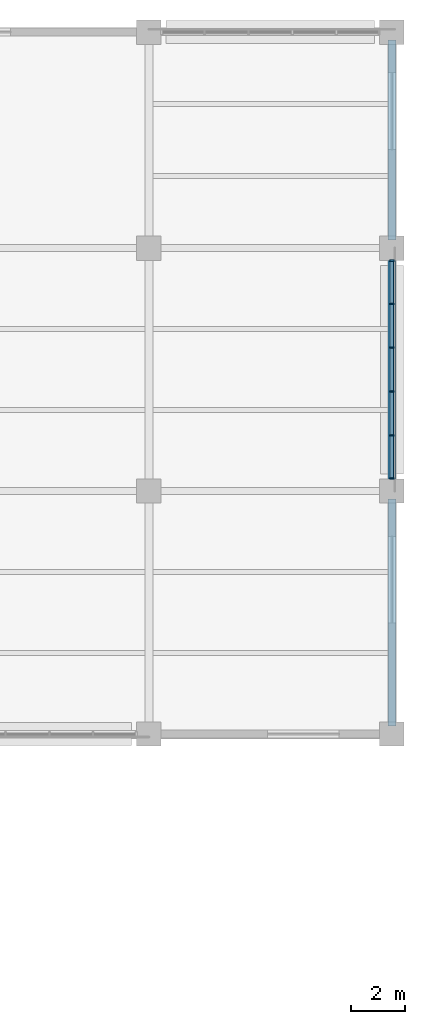
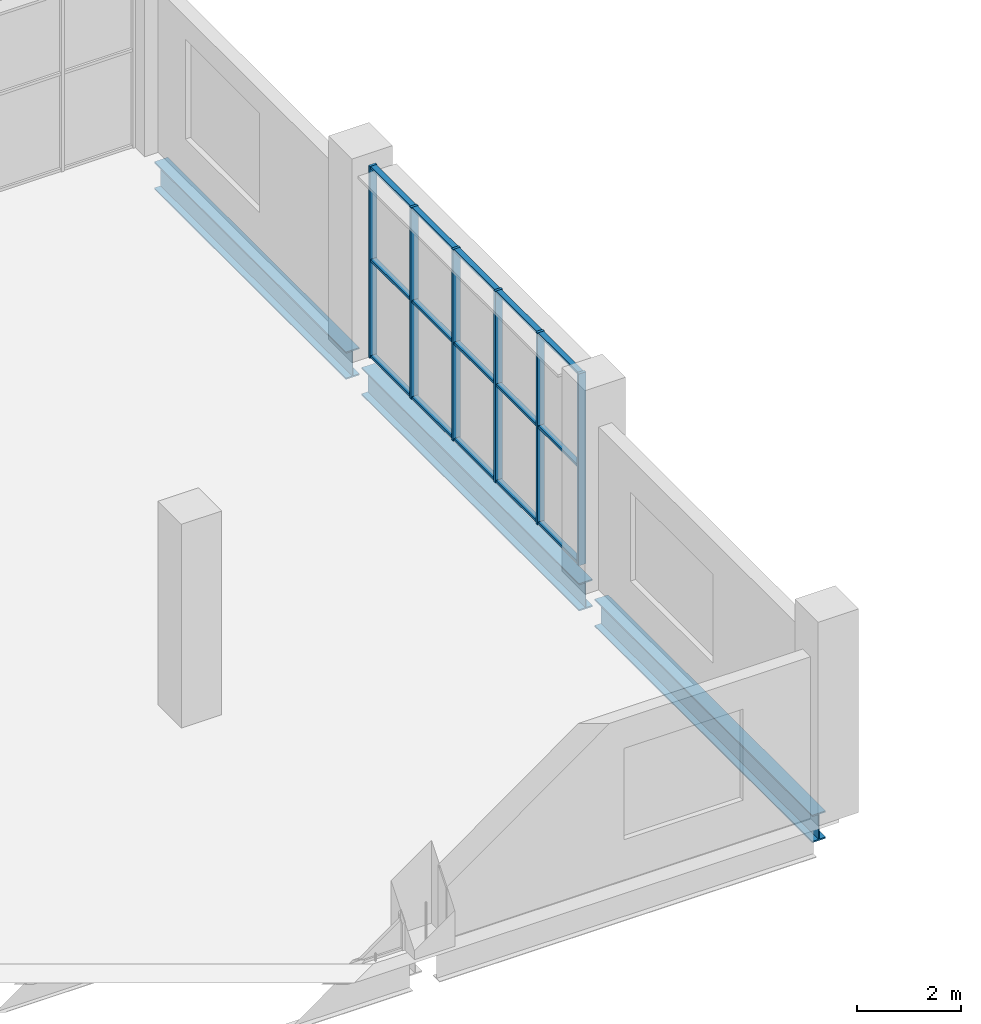
# One storey, part 71 of 183: 21 members, 3 beams, 1 element without a shape of its own.
"""IFC4 building model written with IfcOpenShell, lengths in metres."""

from ifc_helpers import new_model, si_unit, direction, frame, origin, origin_2d, place, context, subcontext, project, spatial, rectangle, i_section, extrude, material, material_profile, profile_set, type_object, element, aggregate, save


model = new_model("IFC4")

# Units and contexts
model_context = context("Model", 3, precision=1e-05, world=origin(), true_north=direction((0.0, 1.0)))
body_context = subcontext(model_context, "Body", "Model", "MODEL_VIEW")
ifc_project = project(units=[si_unit("LENGTHUNIT", "METRE"), si_unit("AREAUNIT", "SQUARE_METRE"), si_unit("VOLUMEUNIT", "CUBIC_METRE"), si_unit("PLANEANGLEUNIT", "RADIAN"), si_unit("MASSUNIT", "GRAM", prefix="KILO")], contexts=[model_context])

# Site, building, storey
site_placement = place(None, origin())
site = spatial("IfcSite", under=ifc_project, at=site_placement, CompositionType="ELEMENT")
building_placement = place(site_placement, origin())
building = spatial("IfcBuilding", under=site, at=building_placement, Name="Zevraka Park Crest Stadium", CompositionType="ELEMENT")
storey_placement = place(building_placement, frame((0.0, 0.0, 5.39990234375)))
storey = spatial("IfcBuildingStorey", under=building, at=storey_placement, Name="L01", CompositionType="ELEMENT", Elevation=5.39990234375)

# Beams
ifc_material_1 = material(Name="Steel S355", Category="steel")
ifc_material_profile_1 = material_profile(ifc_material_1, i_section(OverallWidth=0.300048828125, OverallDepth=0.64990234375, WebThickness=0.01611328125, FlangeThickness=0.031005859375, at=origin_2d()), Name="HEB 650")
ifc_profile_set_1 = profile_set([ifc_material_profile_1], Name="Steel S355")
beam_type = type_object("IfcBeamType", Name="BG07", PredefinedType="BEAM", material=ifc_profile_set_1)
for number, where, z_axis, x_axis, name in (
    (1, (224.0, 158.300048828125, -0.6328125), (0.0, 1.0, 0.0), (-1.0, 0.0, 0.0), "Wing Girder BG07 L01-25/TU"),
    (2, (224.0, 167.300048828125, -0.6328125), (0.0, 1.0, 0.0), (-1.0, 0.0, 0.0), "Wing Girder BG07 L01-25/UV"),
):
    element("IfcBeam", number, at=place(storey_placement, frame(where, z_axis=z_axis, x_axis=x_axis)), inside=storey, type_object=beam_type, Name=name, PredefinedType="BEAM", context=body_context, shape_type="SweptSolid", body=[
        extrude(i_section(OverallWidth=0.300048828125, OverallDepth=0.64990234375, WebThickness=0.01611328125, FlangeThickness=0.031005859375, at=origin_2d()), origin(), (0.0, 0.0, 1.0), 8.39990234375),
    ])
beam_placement = place(storey_placement, frame((224.0, 176.300048828125, -0.6328125), z_axis=(0.0, 1.0, 0.0), x_axis=(-1.0, 0.0, 0.0)))
element("IfcBeam", 3, at=beam_placement, inside=storey, type_object=beam_type, Name="Wing Girder BG07 L01-25/VW", PredefinedType="BEAM", context=body_context, shape_type="SweptSolid", body=[
    extrude(i_section(OverallWidth=0.300048828125, OverallDepth=0.64990234375, WebThickness=0.01611328125, FlangeThickness=0.031005859375, at=origin_2d()), origin(), (0.0, 0.0, 1.0), 7.39990234375),
])

# Curtain wall, members
ifc_material_2 = material(Name="Anodised architectural aluminium and laminated safety glass", Category="aluminium")
curtain_wall_type = type_object("IfcCurtainWallType", Name="CW28", PredefinedType="NOTDEFINED", material=ifc_material_2)
curtain_wall_placement = place(storey_placement, origin())
curtain_wall = element("IfcCurtainWall", 4, at=curtain_wall_placement, inside=storey, type_object=curtain_wall_type, Name="Wing Curtain Wall CW28 L01-NGATE-E-2", PredefinedType="NOTDEFINED")
ifc_material_3 = material(Name="Anodised architectural aluminium", Category="aluminium")
ifc_material_profile_2 = material_profile(ifc_material_3, rectangle(XDim=0.159912109375, YDim=0.06005859375, at=origin_2d()), Name="ALU MULLION 160x60")
ifc_profile_set_2 = profile_set([ifc_material_profile_2], Name="Anodised architectural aluminium")
member_type_1 = type_object("IfcMemberType", Name="CM01", PredefinedType="MULLION", material=ifc_profile_set_2)
member_1_placement = place(storey_placement, frame((224.0, 175.530029296875, 0.0), z_axis=(0.0, 0.0, 1.0), x_axis=(1.0, 0.0, 0.0)))
member_1 = element("IfcMember", 5, at=member_1_placement, type_object=member_type_1, Name="CW28 mullion 1", PredefinedType="MULLION", context=body_context, shape_type="SweptSolid", body=[
    extrude(rectangle(XDim=0.159912109375, YDim=0.06005859375, at=origin_2d()), origin(), (0.0, 0.0, 1.0), 4.52001953125),
])
member_2_placement = place(storey_placement, frame((224.0, 173.93603515625, 0.0), z_axis=(0.0, 0.0, 1.0), x_axis=(1.0, 0.0, 0.0)))
member_2 = element("IfcMember", 6, at=member_2_placement, type_object=member_type_1, Name="CW28 mullion 2", PredefinedType="MULLION", context=body_context, shape_type="SweptSolid", body=[
    extrude(rectangle(XDim=0.159912109375, YDim=0.06005859375, at=origin_2d()), origin(), (0.0, 0.0, 1.0), 4.52001953125),
])
member_3_placement = place(storey_placement, frame((224.0, 172.31201171875, 0.0), z_axis=(0.0, 0.0, 1.0), x_axis=(1.0, 0.0, 0.0)))
member_3 = element("IfcMember", 7, at=member_3_placement, type_object=member_type_1, Name="CW28 mullion 3", PredefinedType="MULLION", context=body_context, shape_type="SweptSolid", body=[
    extrude(rectangle(XDim=0.159912109375, YDim=0.06005859375, at=origin_2d()), origin(), (0.0, 0.0, 1.0), 4.52001953125),
])
member_4_placement = place(storey_placement, frame((224.0, 170.68798828125, 0.0), z_axis=(0.0, 0.0, 1.0), x_axis=(1.0, 0.0, 0.0)))
member_4 = element("IfcMember", 8, at=member_4_placement, type_object=member_type_1, Name="CW28 mullion 4", PredefinedType="MULLION", context=body_context, shape_type="SweptSolid", body=[
    extrude(rectangle(XDim=0.159912109375, YDim=0.06005859375, at=origin_2d()), origin(), (0.0, 0.0, 1.0), 4.52001953125),
])
member_5_placement = place(storey_placement, frame((224.0, 169.06396484375, 0.0), z_axis=(0.0, 0.0, 1.0), x_axis=(1.0, 0.0, 0.0)))
member_5 = element("IfcMember", 9, at=member_5_placement, type_object=member_type_1, Name="CW28 mullion 5", PredefinedType="MULLION", context=body_context, shape_type="SweptSolid", body=[
    extrude(rectangle(XDim=0.159912109375, YDim=0.06005859375, at=origin_2d()), origin(), (0.0, 0.0, 1.0), 4.52001953125),
])
member_6_placement = place(storey_placement, frame((224.0, 167.469970703125, 0.0), z_axis=(0.0, 0.0, 1.0), x_axis=(1.0, 0.0, 0.0)))
member_6 = element("IfcMember", 10, at=member_6_placement, type_object=member_type_1, Name="CW28 mullion 6", PredefinedType="MULLION", context=body_context, shape_type="SweptSolid", body=[
    extrude(rectangle(XDim=0.159912109375, YDim=0.06005859375, at=origin_2d()), origin(), (0.0, 0.0, 1.0), 4.52001953125),
])
ifc_material_4 = material(Name="Anodised architectural aluminium", Category="aluminium")
ifc_material_profile_3 = material_profile(ifc_material_4, rectangle(XDim=0.1201171875, YDim=0.06005859375, at=origin_2d()), Name="ALU TRANSOM 120x60")
ifc_profile_set_3 = profile_set([ifc_material_profile_3], Name="Anodised architectural aluminium")
member_type_2 = type_object("IfcMemberType", Name="CT01", PredefinedType="USERDEFINED", material=ifc_profile_set_3)
member_7_placement = place(storey_placement, frame((224.0, 175.5, 0.030029296875), z_axis=(0.0, -1.0, 0.0), x_axis=(1.0, 0.0, 0.0)))
member_7 = element("IfcMember", 11, at=member_7_placement, type_object=member_type_2, Name="CW28 transom 1.1", ObjectType="TRANSOM", PredefinedType="USERDEFINED", context=body_context, shape_type="SweptSolid", body=[
    extrude(rectangle(XDim=0.1201171875, YDim=0.06005859375, at=origin_2d()), origin(), (0.0, 0.0, 1.0), 1.533935546875),
])
member_8_placement = place(storey_placement, frame((224.0, 175.5, 2.300048828125), z_axis=(0.0, -1.0, 0.0), x_axis=(1.0, 0.0, 0.0)))
member_8 = element("IfcMember", 12, at=member_8_placement, type_object=member_type_2, Name="CW28 transom 1.2", ObjectType="TRANSOM", PredefinedType="USERDEFINED", context=body_context, shape_type="SweptSolid", body=[
    extrude(rectangle(XDim=0.1201171875, YDim=0.06005859375, at=origin_2d()), origin(), (0.0, 0.0, 1.0), 1.533935546875),
])
member_9_placement = place(storey_placement, frame((224.0, 175.5, 4.489990234375), z_axis=(0.0, -1.0, 0.0), x_axis=(1.0, 0.0, 0.0)))
member_9 = element("IfcMember", 13, at=member_9_placement, type_object=member_type_2, Name="CW28 transom 1.3", ObjectType="TRANSOM", PredefinedType="USERDEFINED", context=body_context, shape_type="SweptSolid", body=[
    extrude(rectangle(XDim=0.1201171875, YDim=0.06005859375, at=origin_2d()), origin(), (0.0, 0.0, 1.0), 1.533935546875),
])
member_10_placement = place(storey_placement, frame((224.0, 173.906005859375, 0.030029296875), z_axis=(0.0, -1.0, 0.0), x_axis=(1.0, 0.0, 0.0)))
member_10 = element("IfcMember", 14, at=member_10_placement, type_object=member_type_2, Name="CW28 transom 2.1", ObjectType="TRANSOM", PredefinedType="USERDEFINED", context=body_context, shape_type="SweptSolid", body=[
    extrude(rectangle(XDim=0.1201171875, YDim=0.06005859375, at=origin_2d()), origin(), (0.0, 0.0, 1.0), 1.56396484375),
])
member_11_placement = place(storey_placement, frame((224.0, 173.906005859375, 2.300048828125), z_axis=(0.0, -1.0, 0.0), x_axis=(1.0, 0.0, 0.0)))
member_11 = element("IfcMember", 15, at=member_11_placement, type_object=member_type_2, Name="CW28 transom 2.2", ObjectType="TRANSOM", PredefinedType="USERDEFINED", context=body_context, shape_type="SweptSolid", body=[
    extrude(rectangle(XDim=0.1201171875, YDim=0.06005859375, at=origin_2d()), origin(), (0.0, 0.0, 1.0), 1.56396484375),
])
member_12_placement = place(storey_placement, frame((224.0, 173.906005859375, 4.489990234375), z_axis=(0.0, -1.0, 0.0), x_axis=(1.0, 0.0, 0.0)))
member_12 = element("IfcMember", 16, at=member_12_placement, type_object=member_type_2, Name="CW28 transom 2.3", ObjectType="TRANSOM", PredefinedType="USERDEFINED", context=body_context, shape_type="SweptSolid", body=[
    extrude(rectangle(XDim=0.1201171875, YDim=0.06005859375, at=origin_2d()), origin(), (0.0, 0.0, 1.0), 1.56396484375),
])
member_13_placement = place(storey_placement, frame((224.0, 172.281982421875, 0.030029296875), z_axis=(0.0, -1.0, 0.0), x_axis=(1.0, 0.0, 0.0)))
member_13 = element("IfcMember", 17, at=member_13_placement, type_object=member_type_2, Name="CW28 transom 3.1", ObjectType="TRANSOM", PredefinedType="USERDEFINED", context=body_context, shape_type="SweptSolid", body=[
    extrude(rectangle(XDim=0.1201171875, YDim=0.06005859375, at=origin_2d()), origin(), (0.0, 0.0, 1.0), 1.56396484375),
])
member_14_placement = place(storey_placement, frame((224.0, 172.281982421875, 2.300048828125), z_axis=(0.0, -1.0, 0.0), x_axis=(1.0, 0.0, 0.0)))
member_14 = element("IfcMember", 18, at=member_14_placement, type_object=member_type_2, Name="CW28 transom 3.2", ObjectType="TRANSOM", PredefinedType="USERDEFINED", context=body_context, shape_type="SweptSolid", body=[
    extrude(rectangle(XDim=0.1201171875, YDim=0.06005859375, at=origin_2d()), origin(), (0.0, 0.0, 1.0), 1.56396484375),
])
member_15_placement = place(storey_placement, frame((224.0, 172.281982421875, 4.489990234375), z_axis=(0.0, -1.0, 0.0), x_axis=(1.0, 0.0, 0.0)))
member_15 = element("IfcMember", 19, at=member_15_placement, type_object=member_type_2, Name="CW28 transom 3.3", ObjectType="TRANSOM", PredefinedType="USERDEFINED", context=body_context, shape_type="SweptSolid", body=[
    extrude(rectangle(XDim=0.1201171875, YDim=0.06005859375, at=origin_2d()), origin(), (0.0, 0.0, 1.0), 1.56396484375),
])
member_16_placement = place(storey_placement, frame((224.0, 170.657958984375, 0.030029296875), z_axis=(0.0, -1.0, 0.0), x_axis=(1.0, 0.0, 0.0)))
member_16 = element("IfcMember", 20, at=member_16_placement, type_object=member_type_2, Name="CW28 transom 4.1", ObjectType="TRANSOM", PredefinedType="USERDEFINED", context=body_context, shape_type="SweptSolid", body=[
    extrude(rectangle(XDim=0.1201171875, YDim=0.06005859375, at=origin_2d()), origin(), (0.0, 0.0, 1.0), 1.56396484375),
])
member_17_placement = place(storey_placement, frame((224.0, 170.657958984375, 2.300048828125), z_axis=(0.0, -1.0, 0.0), x_axis=(1.0, 0.0, 0.0)))
member_17 = element("IfcMember", 21, at=member_17_placement, type_object=member_type_2, Name="CW28 transom 4.2", ObjectType="TRANSOM", PredefinedType="USERDEFINED", context=body_context, shape_type="SweptSolid", body=[
    extrude(rectangle(XDim=0.1201171875, YDim=0.06005859375, at=origin_2d()), origin(), (0.0, 0.0, 1.0), 1.56396484375),
])
member_18_placement = place(storey_placement, frame((224.0, 170.657958984375, 4.489990234375), z_axis=(0.0, -1.0, 0.0), x_axis=(1.0, 0.0, 0.0)))
member_18 = element("IfcMember", 22, at=member_18_placement, type_object=member_type_2, Name="CW28 transom 4.3", ObjectType="TRANSOM", PredefinedType="USERDEFINED", context=body_context, shape_type="SweptSolid", body=[
    extrude(rectangle(XDim=0.1201171875, YDim=0.06005859375, at=origin_2d()), origin(), (0.0, 0.0, 1.0), 1.56396484375),
])
member_19_placement = place(storey_placement, frame((224.0, 169.033935546875, 0.030029296875), z_axis=(0.0, -1.0, 0.0), x_axis=(1.0, 0.0, 0.0)))
member_19 = element("IfcMember", 23, at=member_19_placement, type_object=member_type_2, Name="CW28 transom 5.1", ObjectType="TRANSOM", PredefinedType="USERDEFINED", context=body_context, shape_type="SweptSolid", body=[
    extrude(rectangle(XDim=0.1201171875, YDim=0.06005859375, at=origin_2d()), origin(), (0.0, 0.0, 1.0), 1.533935546875),
])
member_20_placement = place(storey_placement, frame((224.0, 169.033935546875, 2.300048828125), z_axis=(0.0, -1.0, 0.0), x_axis=(1.0, 0.0, 0.0)))
member_20 = element("IfcMember", 24, at=member_20_placement, type_object=member_type_2, Name="CW28 transom 5.2", ObjectType="TRANSOM", PredefinedType="USERDEFINED", context=body_context, shape_type="SweptSolid", body=[
    extrude(rectangle(XDim=0.1201171875, YDim=0.06005859375, at=origin_2d()), origin(), (0.0, 0.0, 1.0), 1.533935546875),
])
member_21_placement = place(storey_placement, frame((224.0, 169.033935546875, 4.489990234375), z_axis=(0.0, -1.0, 0.0), x_axis=(1.0, 0.0, 0.0)))
member_21 = element("IfcMember", 25, at=member_21_placement, type_object=member_type_2, Name="CW28 transom 5.3", ObjectType="TRANSOM", PredefinedType="USERDEFINED", context=body_context, shape_type="SweptSolid", body=[
    extrude(rectangle(XDim=0.1201171875, YDim=0.06005859375, at=origin_2d()), origin(), (0.0, 0.0, 1.0), 1.533935546875),
])
aggregate(curtain_wall, [member_1, member_2, member_3, member_4, member_5, member_6, member_7, member_8, member_9, member_10, member_11, member_12, member_13, member_14, member_15, member_16, member_17, member_18, member_19, member_20, member_21])

save(model, "model.ifc")
